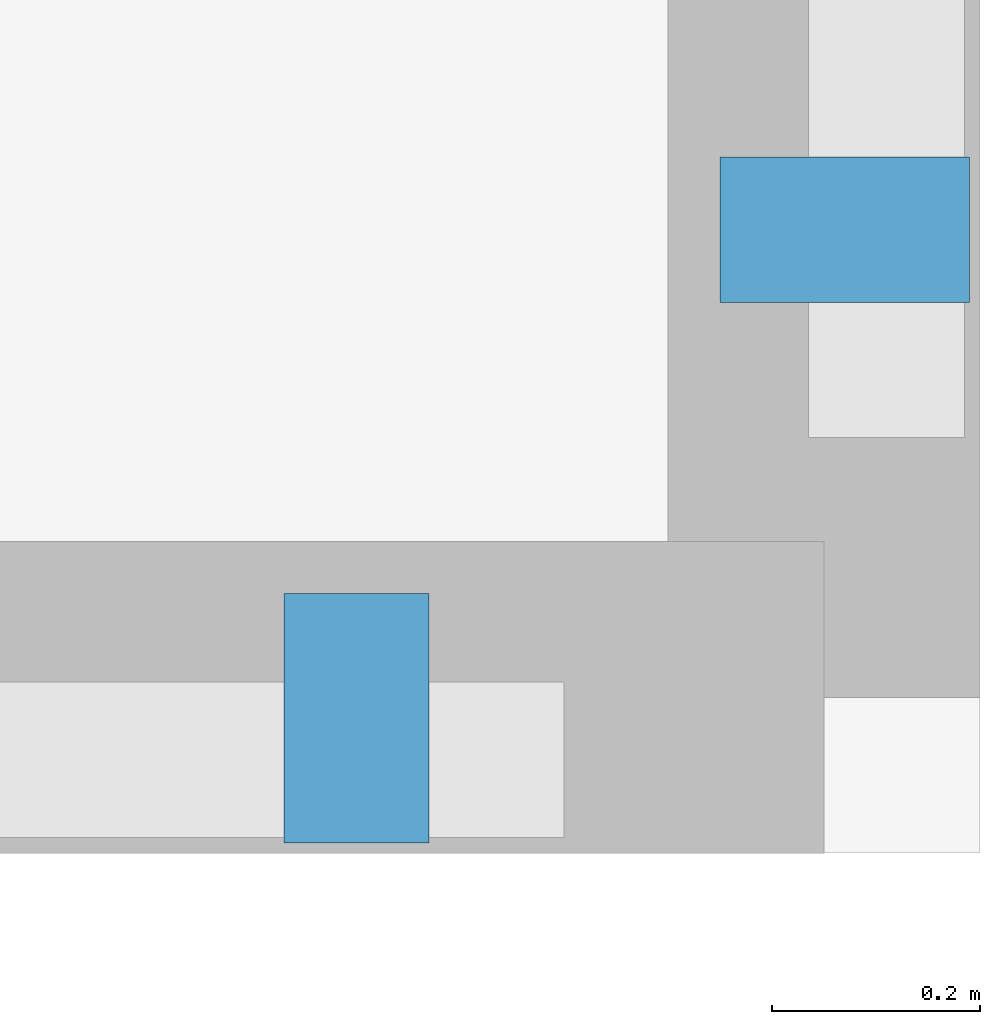
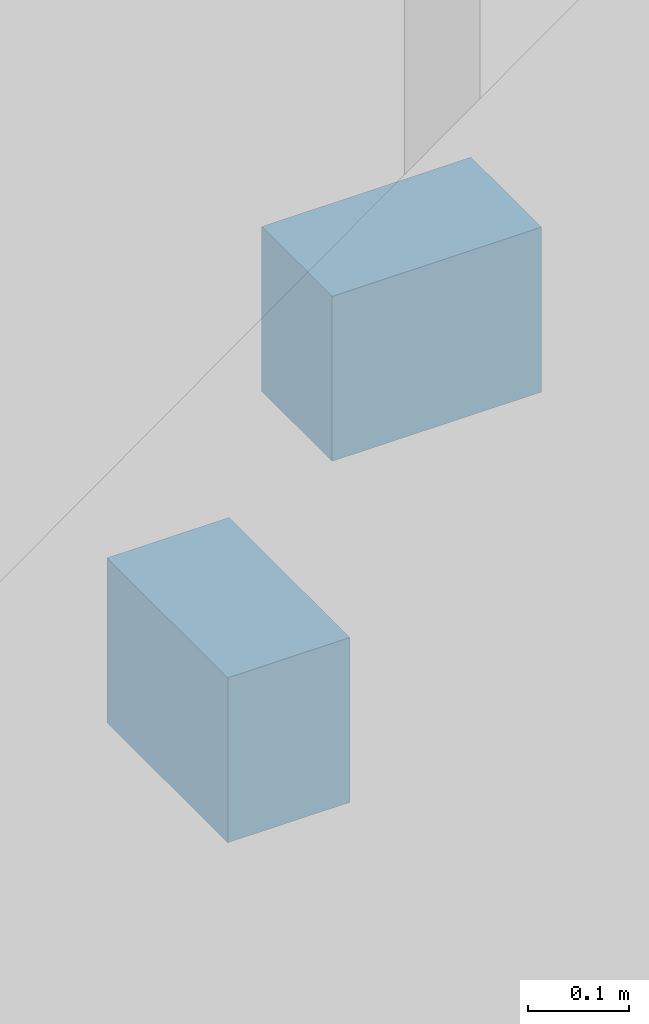
# One storey, part 16 of 20: 2 discrete accessories.
"""IFC4 building model written with IfcOpenShell, lengths in metres."""

from ifc_helpers import new_model, si_unit, direction, frame, origin, origin_2d, place, context, subcontext, project, spatial, rectangle, extrude, material, type_object, element, save


model = new_model("IFC4")

# Units and contexts
model_context = context("Model", 3, precision=1e-05, world=origin(), true_north=direction((0.0, 1.0)))
body_context = subcontext(model_context, "Body", "Model", "MODEL_VIEW")
ifc_project = project(units=[si_unit("LENGTHUNIT", "METRE"), si_unit("AREAUNIT", "SQUARE_METRE"), si_unit("VOLUMEUNIT", "CUBIC_METRE"), si_unit("PLANEANGLEUNIT", "RADIAN"), si_unit("MASSUNIT", "GRAM", prefix="KILO")], contexts=[model_context])

# Site, building, storey
site_placement = place(None, origin())
site = spatial("IfcSite", under=ifc_project, at=site_placement, CompositionType="ELEMENT")
building_placement = place(site_placement, origin())
building = spatial("IfcBuilding", under=site, at=building_placement, Name="Tarnavaz Court Tower", CompositionType="ELEMENT")
storey_placement = place(building_placement, frame((0.0, 0.0, 34.050048828125)))
storey = spatial("IfcBuildingStorey", under=building, at=storey_placement, Name="L08", CompositionType="ELEMENT", Elevation=34.050048828125)

# Discrete accessories
ifc_material = material(Name="Anodised Aluminium 6063-T6", Category="aluminium")
discrete_accessory_type = type_object("IfcDiscreteAccessoryType", Name="DA-BRKT-ALU", PredefinedType="BRACKET", material=ifc_material)
for number, where, z_axis, x_axis, name in (
    (1, (28.669921875, -18.60009765625, 1.75), (0.0, 0.0, 1.0), (0.0, -1.0, 0.0), "L08 Baguette Outrigger Bracket FBG12-2"),
    (2, (28.199951171875, -19.070068359375, 1.75), (0.0, 0.0, 1.0), (-1.0, 0.0, 0.0), "L08 Baguette Outrigger Bracket FBG13-1"),
):
    element("IfcDiscreteAccessory", number, at=place(storey_placement, frame(where, z_axis=z_axis, x_axis=x_axis)), inside=storey, type_object=discrete_accessory_type, Name=name, PredefinedType="BRACKET", context=body_context, shape_type="SweptSolid", body=[
        extrude(rectangle(XDim=0.139892578125, YDim=0.239990234375, at=origin_2d()), origin(), (0.0, 0.0, 1.0), 0.199951171875),
    ])

save(model, "model.ifc")
